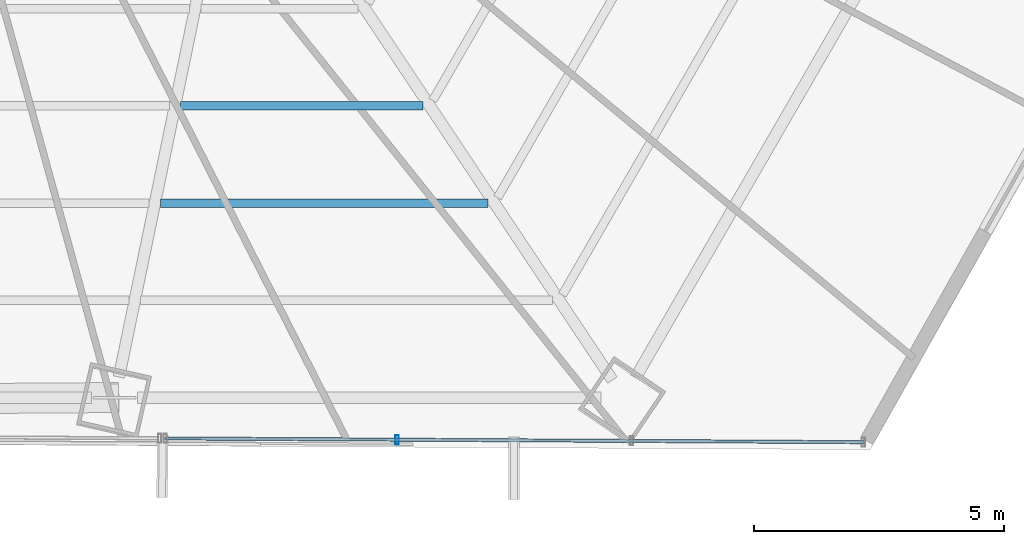
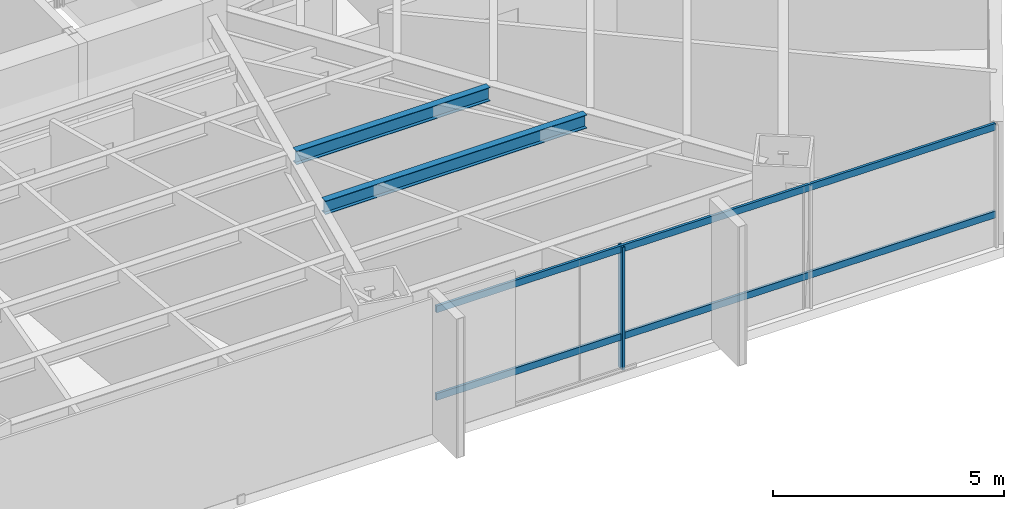
# One storey, part 15 of 39: 3 members, 2 beams, 1 element without a shape of its own.
"""IFC4 building model written with IfcOpenShell, lengths in metres."""

import ifcopenshell
import ifcopenshell.guid

model = None  # the IFC model being written
_history = None  # IfcOwnerHistory: only IFC2X3 demands one
_inside = {}  # id of a spatial element -> (the spatial element, [elements in it])
_under = {}  # id of a project, library or spatial element -> (it, [spatial elements below it])
_declared = {}  # id of a project -> (the project, [libraries it declares])
_typed = {}  # id of a type object -> (the type object, [elements of that type])
_made_of = {}  # id of a material, layer set ... -> (it, [elements and type objects made of it])


def new_model(schema):
    """Start an empty IFC model of exactly this schema.

    Asked for "IFC4X3", IfcOpenShell would pick the latest addendum, in which some entities
    have other attributes; the version numbers below select the first issue.
    IFC2X3 requires an IfcOwnerHistory on every rooted entity: one is made here for all.
    """
    global model, _history
    if schema == "IFC4X3":
        model = ifcopenshell.file(schema_version=(4, 3, 0, 0))
    else:
        model = ifcopenshell.file(schema=schema)
    _inside.clear()
    _under.clear()
    _declared.clear()
    _typed.clear()
    _made_of.clear()
    _history = None
    if model.schema == "IFC2X3":
        org = make("IfcOrganization", Name="unknown")
        user = make(
            "IfcPersonAndOrganization",
            ThePerson=make("IfcPerson", FamilyName="unknown"),
            TheOrganization=org,
        )
        app = make(
            "IfcApplication",
            ApplicationDeveloper=org,
            Version="unknown",
            ApplicationFullName="unknown",
            ApplicationIdentifier="unknown",
        )
        _history = make(
            "IfcOwnerHistory",
            OwningUser=user,
            OwningApplication=app,
            ChangeAction="ADDED",
            CreationDate=0,
        )
    return model


def make(cls, **values):
    """One entity of the class cls with the attributes given. An attribute that is None is left unset."""
    return model.create_entity(
        cls, **{name: value for name, value in values.items() if value is not None}
    )


def rooted(cls, **values):
    """An entity with a GlobalId (a new one), such as an element, a storey or a relation."""
    return make(cls, GlobalId=ifcopenshell.guid.new(), OwnerHistory=_history, **values)


def si_unit(unit_type, name, prefix=None):
    """IfcSIUnit, for example si_unit("LENGTHUNIT", "METRE", prefix="MILLI")."""
    return make("IfcSIUnit", UnitType=unit_type, Prefix=prefix, Name=name)


def assignment(units):
    """IfcUnitAssignment: the units of a project."""
    return None if units is None else make("IfcUnitAssignment", Units=units)


def point(xyz):
    """IfcCartesianPoint."""
    return None if xyz is None else make("IfcCartesianPoint", Coordinates=xyz)


def direction(xyz):
    """IfcDirection."""
    return None if xyz is None else make("IfcDirection", DirectionRatios=xyz)


def frame(location, z_axis=None, x_axis=None):
    """IfcAxis2Placement3D, a coordinate frame: its origin and axes. An axis left out is left unset."""
    return make(
        "IfcAxis2Placement3D",
        Location=point(location),
        Axis=direction(z_axis),
        RefDirection=direction(x_axis),
    )


def frame_2d(location, x_axis=None):
    """IfcAxis2Placement2D, a coordinate frame in the plane: its origin and x axis."""
    return make(
        "IfcAxis2Placement2D", Location=point(location), RefDirection=direction(x_axis)
    )


def origin():
    """The frame at (0, 0, 0) with its axes left unset."""
    return frame((0.0, 0.0, 0.0))


def origin_2d():
    """The frame at (0, 0) in the plane with its x axis left unset."""
    return frame_2d((0.0, 0.0))


def place(relative_to, where):
    """IfcLocalPlacement: puts the frame where relative to a parent placement (None: the world)."""
    return make(
        "IfcLocalPlacement", PlacementRelTo=relative_to, RelativePlacement=where
    )


def context(
    kind, dimensions, precision=None, world=None, true_north=None, identifier=None
):
    """IfcGeometricRepresentationContext, for example the 3D "Model" context."""
    return make(
        "IfcGeometricRepresentationContext",
        ContextIdentifier=identifier,
        ContextType=kind,
        CoordinateSpaceDimension=dimensions,
        Precision=precision,
        WorldCoordinateSystem=world,
        TrueNorth=true_north,
    )


def subcontext(parent, identifier, kind, view, scale=None):
    """IfcGeometricRepresentationSubContext, for example "Body" below "Model"."""
    return make(
        "IfcGeometricRepresentationSubContext",
        ContextIdentifier=identifier,
        ContextType=kind,
        ParentContext=parent,
        TargetScale=scale,
        TargetView=view,
    )


def project(units=None, contexts=None):
    """IfcProject with its units and contexts."""
    return rooted(
        "IfcProject",
        Name="project",
        RepresentationContexts=contexts,
        UnitsInContext=assignment(units),
    )


def spatial(cls, under=None, at=None, **own):
    """A site, building, storey or space (cls), placed at a placement, below another one or the project."""
    s = rooted(cls, ObjectPlacement=at, **own)
    if under is not None:
        _under.setdefault(under.id(), (under, []))[1].append(s)
    return s


def profile(cls, at=None, kind="AREA", **sizes):
    """A parametric profile (cls). Its sizes go by their IFC names, for example OverallWidth=200.0."""
    return make(cls, ProfileType=kind, Position=at, **sizes)


def hollow_rectangle(**sizes):
    """IfcRectangleHollowProfileDef."""
    return profile("IfcRectangleHollowProfileDef", **sizes)


def i_section(**sizes):
    """IfcIShapeProfileDef."""
    return profile("IfcIShapeProfileDef", **sizes)


def extrude(swept, where, along, depth):
    """IfcExtrudedAreaSolid: the profile swept, set in the frame where, extruded along a direction by depth."""
    return make(
        "IfcExtrudedAreaSolid",
        SweptArea=swept,
        Position=where,
        ExtrudedDirection=direction(along),
        Depth=depth,
    )


def shape(context_of_items, identifier, shape_type, items):
    """IfcShapeRepresentation: the items that make up one representation, for example the "Body"."""
    return make(
        "IfcShapeRepresentation",
        ContextOfItems=context_of_items,
        RepresentationIdentifier=identifier,
        RepresentationType=shape_type,
        Items=items,
    )


def source(mapping_origin, context_of_items, identifier, shape_type, items):
    """IfcRepresentationMap: a shape defined once, which mapped items show again and again."""
    return make(
        "IfcRepresentationMap",
        MappingOrigin=mapping_origin,
        MappedRepresentation=shape(context_of_items, identifier, shape_type, items),
    )


def transform(
    local_origin,
    x_axis=None,
    y_axis=None,
    z_axis=None,
    scale=None,
    scale2=None,
    scale3=None,
    uniform=True,
):
    """IfcCartesianTransformationOperator3D, or its non-uniform kind. x_axis, y_axis, z_axis: its Axis1, 2, 3."""
    if uniform:
        return make(
            "IfcCartesianTransformationOperator3D",
            Axis1=direction(x_axis),
            Axis2=direction(y_axis),
            LocalOrigin=point(local_origin),
            Scale=scale,
            Axis3=direction(z_axis),
        )
    return make(
        "IfcCartesianTransformationOperator3DnonUniform",
        Axis1=direction(x_axis),
        Axis2=direction(y_axis),
        LocalOrigin=point(local_origin),
        Scale=scale,
        Axis3=direction(z_axis),
        Scale2=scale2,
        Scale3=scale3,
    )


def mapped(mapping_source, mapping_target):
    """IfcMappedItem: shows the shape of a source again, moved by a transform."""
    return make(
        "IfcMappedItem", MappingSource=mapping_source, MappingTarget=mapping_target
    )


def material(Name=None, Category=None):
    """IfcMaterial."""
    return make("IfcMaterial", Name=Name, Category=Category)


def material_profile(
    of_material, cross_section, Name=None, Category=None, Priority=None
):
    """IfcMaterialProfile: a cross section and its material."""
    return make(
        "IfcMaterialProfile",
        Name=Name,
        Material=of_material,
        Profile=cross_section,
        Priority=Priority,
        Category=Category,
    )


def profile_set(profiles, Name=None, composite=None):
    """IfcMaterialProfileSet."""
    return make(
        "IfcMaterialProfileSet",
        Name=Name,
        MaterialProfiles=profiles,
        CompositeProfile=composite,
    )


def made_of(thing, what):
    """Note that an element or type object is made of a material, layer set ...; save() writes the relation."""
    if what is not None:
        _made_of.setdefault(what.id(), (what, []))[1].append(thing)
    return thing


def type_object(cls, material=None, **own):
    """A type object (cls), such as IfcWallType, which elements share."""
    return made_of(rooted(cls, **own), material)


def type_shapes(of_type, sources):
    """Give a type object the sources (RepresentationMaps) that its elements show as mapped items."""
    of_type.RepresentationMaps = sources


def element(
    cls,
    number,
    at=None,
    inside=None,
    cuts=None,
    type_object=None,
    material=None,
    context=None,
    identifier="Body",
    shape_type=None,
    held_by="IfcProductDefinitionShape",
    body=None,
    shapes=None,
    **own,
):
    """One element of the class cls, such as IfcWall. Its Tag is "e" and its number.

    at: its placement. inside: the storey or other place that contains it. cuts: it is an
    opening in that element (IfcRelVoidsElement). A single representation is given by context,
    identifier, shape_type and body (its items); several are given by shapes. held_by: the class
    of the entity that holds the representations. save() writes the other relations.
    """
    e = rooted(cls, Tag="e%d" % number, ObjectPlacement=at, **own)
    if body is not None:
        shapes = [shape(context, identifier, shape_type, body)]
    if shapes is not None:
        e.Representation = make(held_by, Representations=shapes)
    if inside is not None:
        _inside.setdefault(inside.id(), (inside, []))[1].append(e)
    if cuts is not None:
        rooted(
            "IfcRelVoidsElement", RelatingBuildingElement=cuts, RelatedOpeningElement=e
        )
    if type_object is not None:
        _typed.setdefault(type_object.id(), (type_object, []))[1].append(e)
    return made_of(e, material)


def aggregate(whole, parts):
    """IfcRelAggregates: a whole, such as a stair, and the parts it consists of."""
    return rooted("IfcRelAggregates", RelatingObject=whole, RelatedObjects=parts)


def save(model, path):
    """Write the relations noted so far, then the file.

    IfcRelAggregates (storeys below a building ...), IfcRelContainedInSpatialStructure (elements
    in a storey), IfcRelDefinesByType, IfcRelAssociatesMaterial and IfcRelDeclares: one each for
    every whole, place, type object, material and project.
    """
    for whole, parts in _under.values():
        aggregate(whole, parts)
    for where, things in _inside.values():
        rooted(
            "IfcRelContainedInSpatialStructure",
            RelatedElements=things,
            RelatingStructure=where,
        )
    for kind, things in _typed.values():
        rooted("IfcRelDefinesByType", RelatedObjects=things, RelatingType=kind)
    for what, things in _made_of.values():
        rooted("IfcRelAssociatesMaterial", RelatedObjects=things, RelatingMaterial=what)
    for by, libraries in _declared.values():
        rooted("IfcRelDeclares", RelatingContext=by, RelatedDefinitions=libraries)
    model.write(path)


model = new_model("IFC4")

# Units and contexts
model_context = context("Model", 3, precision=1e-05, world=origin(), true_north=direction((0.0, 1.0)))
body_context = subcontext(model_context, "Body", "Model", "MODEL_VIEW")
ifc_project = project(units=[si_unit("LENGTHUNIT", "METRE"), si_unit("AREAUNIT", "SQUARE_METRE"), si_unit("VOLUMEUNIT", "CUBIC_METRE"), si_unit("PLANEANGLEUNIT", "RADIAN"), si_unit("MASSUNIT", "GRAM", prefix="KILO")], contexts=[model_context])

# Site, building, storey
site_placement = place(None, origin())
site = spatial("IfcSite", under=ifc_project, at=site_placement, CompositionType="ELEMENT")
building_placement = place(site_placement, origin())
building = spatial("IfcBuilding", under=site, at=building_placement, Name="Caelisora Broadcast Tower", CompositionType="ELEMENT")
storey_placement = place(building_placement, frame((0.0, 0.0, 71.39990234375)))
storey = spatial("IfcBuildingStorey", under=building, at=storey_placement, Name="L18", CompositionType="ELEMENT", Elevation=71.39990234375)

# Beams
ifc_material_1 = material(Name="Steel Grade 350 (AS/NZS 3679.1)", Category="steel")
ifc_material_profile_1 = material_profile(ifc_material_1, i_section(OverallWidth=0.172119140625, OverallDepth=0.358642578125, WebThickness=0.008056640625, FlangeThickness=0.012939453125, at=origin_2d()), Name="Steel Grade 350 (AS/NZS 3679.1)")
ifc_profile_set_1 = profile_set([ifc_material_profile_1], Name="Steel Grade 350 (AS/NZS 3679.1)")
beam_type = type_object("IfcBeamType", Name="SB02", PredefinedType="JOIST", material=ifc_profile_set_1)
shared_shape_1 = source(origin(), body_context, "Body", "SweptSolid", [
    extrude(i_section(OverallWidth=0.172119140625, OverallDepth=0.358642578125, WebThickness=0.008056640625, FlangeThickness=0.012939453125, at=origin_2d()), origin(), (0.0, 0.0, 1.0), 4.843017578125),
])
beam_1_placement = place(storey_placement, frame((44.40869140625, 11.56982421875, 3.07080078125), z_axis=(1.0, 0.0, 0.0), x_axis=(0.0, 1.0, 0.0)))
element("IfcBeam", 1, at=beam_1_placement, inside=storey, type_object=beam_type, Name="L18 beam SB02", PredefinedType="JOIST", context=body_context, shape_type="MappedRepresentation", body=[
    mapped(shared_shape_1, transform((0.0, 0.0, 0.0), scale=1.0)),
])
shared_shape_2 = source(origin(), body_context, "Body", "SweptSolid", [
    extrude(i_section(OverallWidth=0.172119140625, OverallDepth=0.358642578125, WebThickness=0.008056640625, FlangeThickness=0.012939453125, at=origin_2d()), origin(), (0.0, 0.0, 1.0), 6.539794921875),
])
type_shapes(beam_type, [shared_shape_1, shared_shape_2])
beam_2_placement = place(storey_placement, frame((44.007080078125, 9.626708984375, 3.07080078125), z_axis=(1.0, 0.0, 0.0), x_axis=(0.0, 1.0, 0.0)))
element("IfcBeam", 2, at=beam_2_placement, inside=storey, type_object=beam_type, Name="L18 beam SB02", PredefinedType="JOIST", context=body_context, shape_type="MappedRepresentation", body=[
    mapped(shared_shape_2, transform((0.0, 0.0, 0.0), scale=1.0)),
])

# Curtain wall, members
ifc_material_2 = material(Name="Unitised Aluminium and Low-E Glass Curtain Wall", Category="glass")
curtain_wall_type = type_object("IfcCurtainWallType", Name="CW-Z1", PredefinedType="NOTDEFINED", material=ifc_material_2)
curtain_wall_placement = place(storey_placement, origin())
curtain_wall = element("IfcCurtainWall", 3, at=curtain_wall_placement, inside=storey, type_object=curtain_wall_type, Name="L18 curtain wall CW-Z1", PredefinedType="NOTDEFINED")
ifc_material_3 = material(Name="Aluminium 6063-T6 Anodised Terracotta Bronze", Category="aluminium")
ifc_material_profile_2 = material_profile(ifc_material_3, hollow_rectangle(XDim=0.06494140625, YDim=0.179931640625, WallThickness=0.00341796875, at=origin_2d()), Name="Aluminium 6063-T6 Anodised Terracotta Bronze")
ifc_profile_set_2 = profile_set([ifc_material_profile_2], Name="Aluminium 6063-T6 Anodised Terracotta Bronze")
member_type_1 = type_object("IfcMemberType", Name="CWM-02", PredefinedType="MULLION", material=ifc_profile_set_2)
shared_shape_3 = source(origin(), body_context, "Body", "SweptSolid", [
    extrude(hollow_rectangle(XDim=0.06494140625, YDim=0.179931640625, WallThickness=0.00341796875, at=origin_2d()), origin(), (0.0, 0.0, 1.0), 3.25),
])
type_shapes(member_type_1, [shared_shape_3])
member_1_placement = place(storey_placement, frame((48.7353515625, 4.898193359375, 0.0), z_axis=(0.0, 0.0, 1.0), x_axis=(1.0, 0.0, 0.0)))
member_1 = element("IfcMember", 4, at=member_1_placement, type_object=member_type_1, Name="L18-CW-B05 mullion #2", PredefinedType="MULLION", context=body_context, shape_type="MappedRepresentation", body=[
    mapped(shared_shape_3, transform((0.0, 0.0, 0.0), scale=1.0)),
])
ifc_material_profile_3 = material_profile(ifc_material_3, hollow_rectangle(XDim=0.06494140625, YDim=0.179931640625, WallThickness=0.00341796875, at=origin_2d()), Name="Aluminium 6063-T6 Anodised Terracotta Bronze")
ifc_profile_set_3 = profile_set([ifc_material_profile_3], Name="Aluminium 6063-T6 Anodised Terracotta Bronze")
member_type_2 = type_object("IfcMemberType", Name="CWT-01", PredefinedType="USERDEFINED", material=ifc_profile_set_3)
shared_shape_4 = source(origin(), body_context, "Body", "SweptSolid", [
    extrude(hollow_rectangle(XDim=0.06494140625, YDim=0.179931640625, WallThickness=0.00341796875, at=origin_2d()), origin(), (0.0, 0.0, 1.0), 13.9560546875),
])
type_shapes(member_type_2, [shared_shape_4])
member_2_placement = place(storey_placement, frame((58.055908203125, 4.847412109375, 0.85009765625), z_axis=(-0.999985200361, 0.005440501676, 0.0), x_axis=(-0.005440501676, -0.999985200361, 0.0)))
member_2 = element("IfcMember", 5, at=member_2_placement, type_object=member_type_2, Name="L18-CW-B05 transom #1", ObjectType="TRANSOM", PredefinedType="USERDEFINED", context=body_context, shape_type="MappedRepresentation", body=[
    mapped(shared_shape_4, transform((0.0, 0.0, 0.0), scale=1.0)),
])
member_3_placement = place(storey_placement, frame((58.055908203125, 4.847412109375, 3.170166015625), z_axis=(-0.999985200361, 0.005440501676, 0.0), x_axis=(-0.005440501676, -0.999985200361, 0.0)))
member_3 = element("IfcMember", 6, at=member_3_placement, type_object=member_type_2, Name="L18-CW-B05 transom #2", ObjectType="TRANSOM", PredefinedType="USERDEFINED", context=body_context, shape_type="MappedRepresentation", body=[
    mapped(shared_shape_4, transform((0.0, 0.0, 0.0), scale=1.0)),
])
aggregate(curtain_wall, [member_1, member_2, member_3])

save(model, "model.ifc")
